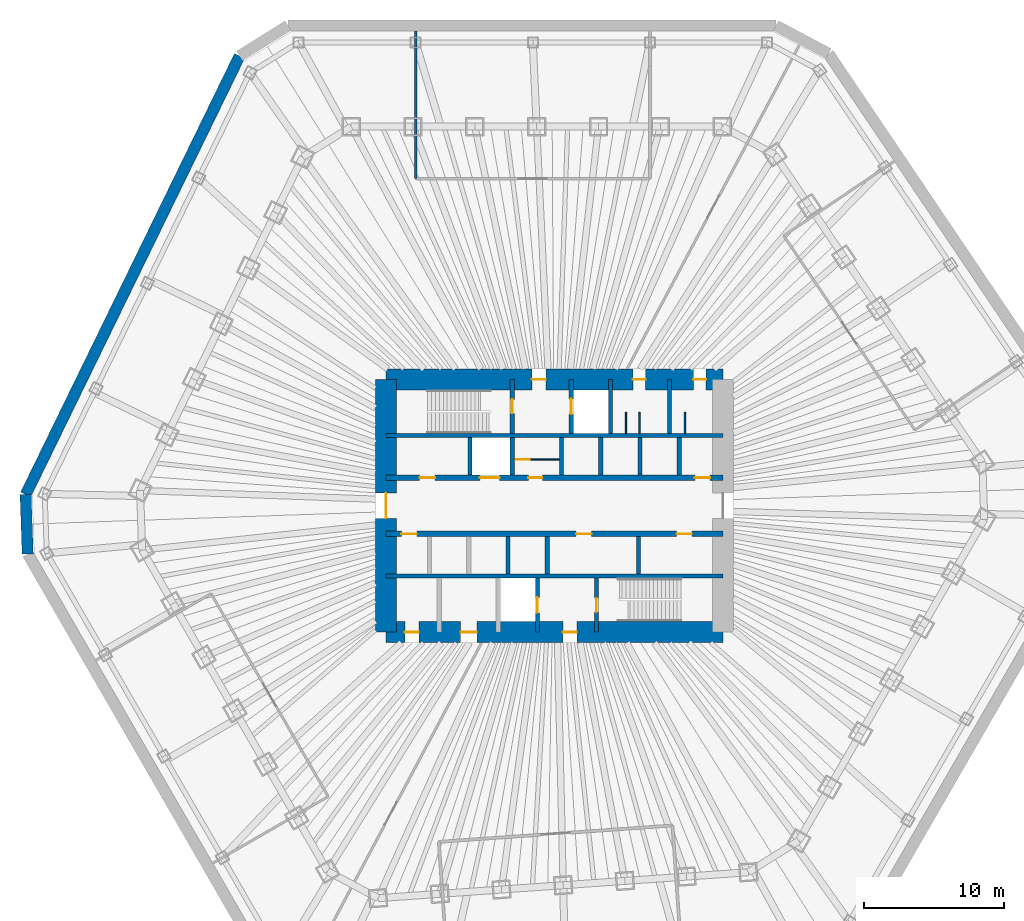
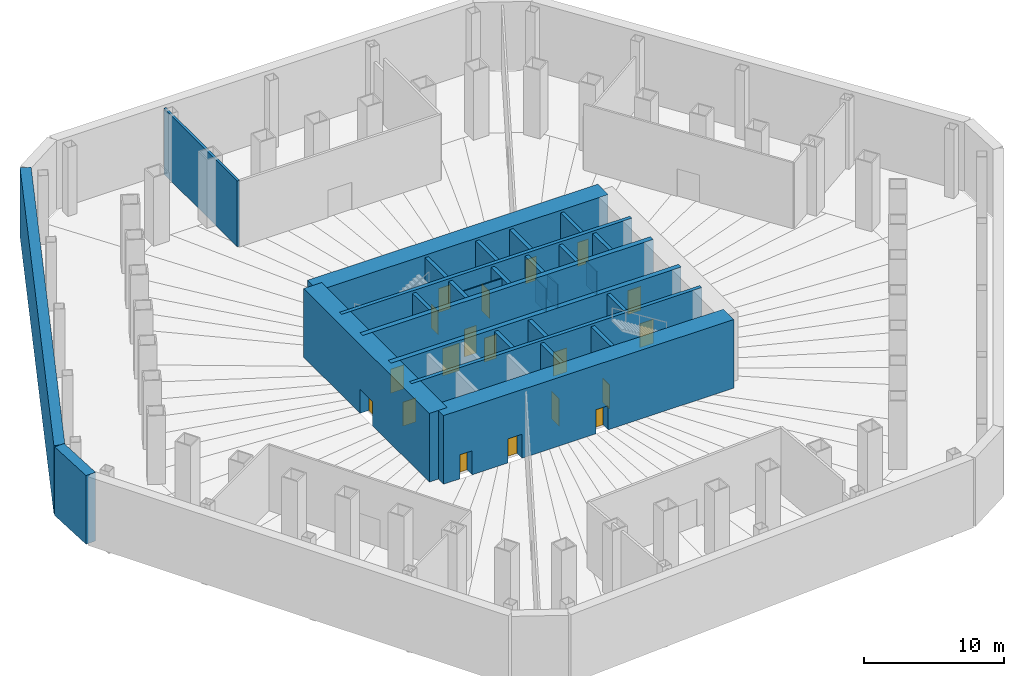
# One storey, part 6 of 8: 29 walls, 19 doors, 19 openings.
"""IFC4 building model written with IfcOpenShell, lengths in metres."""

from ifc_helpers import new_model, si_unit, direction, frame, frame_2d, origin, place, context, subcontext, project, spatial, rectangle, extrude, material, layer, layer_set, type_object, element, fill, save


model = new_model("IFC4")

# Units and contexts
model_context = context("Model", 3, precision=1e-05, world=origin(), true_north=direction((0.0, 1.0)))
body_context = subcontext(model_context, "Body", "Model", "MODEL_VIEW")
ifc_project = project(units=[si_unit("LENGTHUNIT", "METRE"), si_unit("AREAUNIT", "SQUARE_METRE"), si_unit("VOLUMEUNIT", "CUBIC_METRE"), si_unit("PLANEANGLEUNIT", "RADIAN"), si_unit("MASSUNIT", "GRAM", prefix="KILO")], contexts=[model_context])

# Site, building, storey
site_placement = place(None, origin())
site = spatial("IfcSite", under=ifc_project, at=site_placement, CompositionType="ELEMENT")
building_placement = place(site_placement, origin())
building = spatial("IfcBuilding", under=site, at=building_placement, Name="Qingtian Harvest Tower", CompositionType="ELEMENT")
storey_placement = place(building_placement, frame((0.0, 0.0, -6.0)))
storey = spatial("IfcBuildingStorey", under=building, at=storey_placement, Name="B1", CompositionType="ELEMENT", Elevation=-6.0)

# Walls
ifc_material_1 = material(Name="Concrete fc' 42 MPa", Category="concrete")
ifc_layer_1 = layer(ifc_material_1, 0.800048828125)
ifc_layer_set_1 = layer_set([ifc_layer_1], Name="Basement retaining wall RW1 800")
wall_type_1 = type_object("IfcWallType", Name="Basement retaining wall RW1 800", PredefinedType="SHEAR", material=ifc_layer_set_1)
wall_1_placement = place(storey_placement, frame((-37.51025390625, -3.43017578125, 0.0), z_axis=(0.0, 0.0, 1.0), x_axis=(-0.034908677553, 0.999390506375, 0.0)))
element("IfcWall", 1, at=wall_1_placement, inside=storey, type_object=wall_type_1, Name="Retaining wall RW1 B1 10", PredefinedType="SHEAR", context=body_context, shape_type="SweptSolid", body=[
    extrude(rectangle(XDim=4.23828125, YDim=0.800048828125, at=frame_2d((2.119140625, 0.0))), origin(), (0.0, 0.0, 1.0), 6.0),
])
wall_2_placement = place(storey_placement, frame((-37.658203125, 0.805419921875, 0.0), z_axis=(0.0, 0.0, 1.0), x_axis=(0.438371731429, 0.898793761151, 0.0)))
element("IfcWall", 2, at=wall_2_placement, inside=storey, type_object=wall_type_1, Name="Retaining wall RW1 B1 11", PredefinedType="SHEAR", context=body_context, shape_type="SweptSolid", body=[
    extrude(rectangle(XDim=34.7548828125, YDim=0.800048828125, at=frame_2d((17.37744140625, 0.0))), origin(), (0.0, 0.0, 1.0), 6.0),
])
ifc_material_2 = material(Name="Concrete fc' 70 MPa", Category="concrete")
ifc_layer_2 = layer(ifc_material_2, 0.300048828125)
ifc_layer_set_2 = layer_set([ifc_layer_2], Name="Core inner wall RC5 300")
wall_type_2 = type_object("IfcWallType", Name="Core inner wall RC5 300", PredefinedType="SHEAR", material=ifc_layer_set_2)
for number, where, z_axis, x_axis, name in (
    (3, (-12.0, 5.0, 0.0), (0.0, 0.0, 1.0), (1.0, 0.0, 0.0), "Core wall IN5 B1"),
    (4, (-12.0, -5.0, 0.0), (0.0, 0.0, 1.0), (1.0, 0.0, 0.0), "Core wall IS5 B1"),
):
    element("IfcWall", number, at=place(storey_placement, frame(where, z_axis=z_axis, x_axis=x_axis)), inside=storey, type_object=wall_type_2, Name=name, PredefinedType="SHEAR", context=body_context, shape_type="SweptSolid", body=[
        extrude(rectangle(XDim=24.0, YDim=0.300048828125, at=frame_2d((12.0, 0.0))), origin(), (0.0, 0.0, 1.0), 6.0),
    ])

# Wall, openings, doors
ifc_material_3 = material(Name="Concrete fc' 70 MPa", Category="concrete")
ifc_layer_3 = layer(ifc_material_3, 0.39990234375)
ifc_layer_set_3 = layer_set([ifc_layer_3], Name="Core inner web RC6 400")
wall_type_3 = type_object("IfcWallType", Name="Core inner web RC6 400", PredefinedType="SHEAR", material=ifc_layer_set_3)
wall_3_placement = place(storey_placement, frame((-12.0, 2.0, 0.0), z_axis=(0.0, 0.0, 1.0), x_axis=(1.0, 0.0, 0.0)))
wall_3 = element("IfcWall", 5, at=wall_3_placement, inside=storey, type_object=wall_type_3, Name="Core wall IN2 B1", PredefinedType="SHEAR", context=body_context, shape_type="SweptSolid", body=[
    extrude(rectangle(XDim=24.0, YDim=0.39990234375, at=frame_2d((12.0, 0.0))), origin(), (0.0, 0.0, 1.0), 6.0),
])
opening_1_placement = place(wall_3_placement, frame((2.39990234375, 0.0, 0.0)))
opening_1 = element("IfcOpeningElement", 6, at=opening_1_placement, cuts=wall_3, Name="Opening FD4", PredefinedType="OPENING", context=body_context, shape_type="SweptSolid", body=[
    extrude(rectangle(XDim=1.10009765625, YDim=2.10009765625, at=frame_2d((0.550048828125, 1.050048828125))), frame((0.0, 0.2099609375, 0.0), z_axis=(0.0, -1.0, 0.0), x_axis=(1.0, 0.0, 0.0)), (0.0, 0.0, 1.0), 0.419921875),
])
opening_2_placement = place(wall_3_placement, frame((22.0, 0.0, 0.0)))
opening_2 = element("IfcOpeningElement", 7, at=opening_2_placement, cuts=wall_3, Name="Opening FD4", PredefinedType="OPENING", context=body_context, shape_type="SweptSolid", body=[
    extrude(rectangle(XDim=1.10009765625, YDim=2.10009765625, at=frame_2d((0.550048828125, 1.050048828125))), frame((0.0, 0.2099609375, 0.0), z_axis=(0.0, -1.0, 0.0), x_axis=(1.0, 0.0, 0.0)), (0.0, 0.0, 1.0), 0.419921875),
])
opening_3_placement = place(wall_3_placement, frame((10.14990234375, 0.0, 0.0)))
opening_3 = element("IfcOpeningElement", 8, at=opening_3_placement, cuts=wall_3, Name="Opening FD1", PredefinedType="OPENING", context=body_context, shape_type="SweptSolid", body=[
    extrude(rectangle(XDim=1.0, YDim=2.10009765625, at=frame_2d((0.5, 1.050048828125))), frame((0.0, 0.2099609375, 0.0), z_axis=(0.0, -1.0, 0.0), x_axis=(1.0, 0.0, 0.0)), (0.0, 0.0, 1.0), 0.419921875),
])
opening_4_placement = place(wall_3_placement, frame((6.699951171875, 0.0, 0.0)))
opening_4 = element("IfcOpeningElement", 9, at=opening_4_placement, cuts=wall_3, Name="Opening LD2", PredefinedType="OPENING", context=body_context, shape_type="SweptSolid", body=[
    extrude(rectangle(XDim=1.39990234375, YDim=2.39990234375, at=frame_2d((0.699951171875, 1.199951171875))), frame((0.0, 0.2099609375, 0.0), z_axis=(0.0, -1.0, 0.0), x_axis=(1.0, 0.0, 0.0)), (0.0, 0.0, 1.0), 0.419921875),
])
ifc_material_4 = material(Name="Steel-faced door leaf", Category="steel")
door_type_1 = type_object("IfcDoorType", Name="Fire door FD1 single 1 HR", OperationType="SINGLE_SWING_LEFT", PredefinedType="DOOR", material=ifc_material_4)
door_1_placement = place(opening_3_placement, origin())
door_1 = element("IfcDoor", 10, at=door_1_placement, inside=storey, type_object=door_type_1, Name="STA door B1", OperationType="SINGLE_SWING_LEFT", OverallHeight=2.10009765625, OverallWidth=1.0, PredefinedType="DOOR", context=body_context, shape_type="SweptSolid", body=[
    extrude(rectangle(XDim=1.0, YDim=2.10009765625, at=frame_2d((0.5, 1.050048828125))), frame((0.0, 0.02490234375, 0.0), z_axis=(0.0, -1.0, 0.0), x_axis=(1.0, 0.0, 0.0)), (0.0, 0.0, 1.0), 0.050048828125),
])
fill(opening_3, door_1)
ifc_material_5 = material(Name="Steel-faced door leaf", Category="steel")
door_type_2 = type_object("IfcDoorType", Name="Fire door FD4 single 2 HR", OperationType="SINGLE_SWING_LEFT", PredefinedType="DOOR", material=ifc_material_5)
door_2_placement = place(opening_1_placement, origin())
door_2 = element("IfcDoor", 11, at=door_2_placement, inside=storey, type_object=door_type_2, Name="RA door B1", OperationType="SINGLE_SWING_LEFT", OverallHeight=2.10009765625, OverallWidth=1.10009765625, PredefinedType="DOOR", context=body_context, shape_type="SweptSolid", body=[
    extrude(rectangle(XDim=1.10009765625, YDim=2.10009765625, at=frame_2d((0.550048828125, 1.050048828125))), frame((0.0, 0.02490234375, 0.0), z_axis=(0.0, -1.0, 0.0), x_axis=(1.0, 0.0, 0.0)), (0.0, 0.0, 1.0), 0.050048828125),
])
fill(opening_1, door_2)
door_3_placement = place(opening_2_placement, origin())
door_3 = element("IfcDoor", 12, at=door_3_placement, inside=storey, type_object=door_type_2, Name="AHU door B1", OperationType="SINGLE_SWING_RIGHT", OverallHeight=2.10009765625, OverallWidth=1.10009765625, PredefinedType="DOOR", context=body_context, shape_type="SweptSolid", body=[
    extrude(rectangle(XDim=1.10009765625, YDim=2.10009765625, at=frame_2d((0.550048828125, 1.050048828125))), frame((0.0, 0.02490234375, 0.0), z_axis=(0.0, -1.0, 0.0), x_axis=(1.0, 0.0, 0.0)), (0.0, 0.0, 1.0), 0.050048828125),
])
fill(opening_2, door_3)
ifc_material_6 = material(Name="Stainless steel lift landing door", Category="steel")
door_type_3 = type_object("IfcDoorType", Name="Goods lift landing door LD2 1 HR", OperationType="DOUBLE_DOOR_SLIDING", PredefinedType="DOOR", material=ifc_material_6)
door_4_placement = place(opening_4_placement, origin())
door_4 = element("IfcDoor", 13, at=door_4_placement, inside=storey, type_object=door_type_3, Name="GL1 landing door B1", OperationType="DOUBLE_DOOR_SLIDING", OverallHeight=2.39990234375, OverallWidth=1.39990234375, PredefinedType="DOOR", context=body_context, shape_type="SweptSolid", body=[
    extrude(rectangle(XDim=1.39990234375, YDim=2.39990234375, at=frame_2d((0.699951171875, 1.199951171875))), frame((0.0, 0.02490234375, 0.0), z_axis=(0.0, -1.0, 0.0), x_axis=(1.0, 0.0, 0.0)), (0.0, 0.0, 1.0), 0.050048828125),
])
fill(opening_4, door_4)

wall_4_placement = place(storey_placement, frame((-12.0, -2.0, 0.0), z_axis=(0.0, 0.0, 1.0), x_axis=(1.0, 0.0, 0.0)))
wall_4 = element("IfcWall", 14, at=wall_4_placement, inside=storey, type_object=wall_type_3, Name="Core wall IS2 B1", PredefinedType="SHEAR", context=body_context, shape_type="SweptSolid", body=[
    extrude(rectangle(XDim=24.0, YDim=0.39990234375, at=frame_2d((12.0, 0.0))), origin(), (0.0, 0.0, 1.0), 6.0),
])
opening_5_placement = place(wall_4_placement, frame((1.10009765625, 0.0, 0.0)))
opening_5 = element("IfcOpeningElement", 15, at=opening_5_placement, cuts=wall_4, Name="Opening FD4", PredefinedType="OPENING", context=body_context, shape_type="SweptSolid", body=[
    extrude(rectangle(XDim=1.10009765625, YDim=2.10009765625, at=frame_2d((0.550048828125, 1.050048828125))), frame((0.0, 0.2099609375, 0.0), z_axis=(0.0, -1.0, 0.0), x_axis=(1.0, 0.0, 0.0)), (0.0, 0.0, 1.0), 0.419921875),
])
opening_6_placement = place(wall_4_placement, frame((13.550048828125, 0.0, 0.0)))
opening_6 = element("IfcOpeningElement", 16, at=opening_6_placement, cuts=wall_4, Name="Opening FD4", PredefinedType="OPENING", context=body_context, shape_type="SweptSolid", body=[
    extrude(rectangle(XDim=1.10009765625, YDim=2.10009765625, at=frame_2d((0.550048828125, 1.050048828125))), frame((0.0, 0.2099609375, 0.0), z_axis=(0.0, -1.0, 0.0), x_axis=(1.0, 0.0, 0.0)), (0.0, 0.0, 1.0), 0.419921875),
])
opening_7_placement = place(wall_4_placement, frame((20.699951171875, 0.0, 0.0)))
opening_7 = element("IfcOpeningElement", 17, at=opening_7_placement, cuts=wall_4, Name="Opening FD4", PredefinedType="OPENING", context=body_context, shape_type="SweptSolid", body=[
    extrude(rectangle(XDim=1.10009765625, YDim=2.10009765625, at=frame_2d((0.550048828125, 1.050048828125))), frame((0.0, 0.2099609375, 0.0), z_axis=(0.0, -1.0, 0.0), x_axis=(1.0, 0.0, 0.0)), (0.0, 0.0, 1.0), 0.419921875),
])
door_5_placement = place(opening_5_placement, origin())
door_5 = element("IfcDoor", 18, at=door_5_placement, inside=storey, type_object=door_type_2, Name="RB door B1", OperationType="SINGLE_SWING_RIGHT", OverallHeight=2.10009765625, OverallWidth=1.10009765625, PredefinedType="DOOR", context=body_context, shape_type="SweptSolid", body=[
    extrude(rectangle(XDim=1.10009765625, YDim=2.10009765625, at=frame_2d((0.550048828125, 1.050048828125))), frame((0.0, 0.02490234375, 0.0), z_axis=(0.0, -1.0, 0.0), x_axis=(1.0, 0.0, 0.0)), (0.0, 0.0, 1.0), 0.050048828125),
])
fill(opening_5, door_5)
door_6_placement = place(opening_6_placement, origin())
door_6 = element("IfcDoor", 19, at=door_6_placement, inside=storey, type_object=door_type_2, Name="ELEC door B1", OperationType="SINGLE_SWING_LEFT", OverallHeight=2.10009765625, OverallWidth=1.10009765625, PredefinedType="DOOR", context=body_context, shape_type="SweptSolid", body=[
    extrude(rectangle(XDim=1.10009765625, YDim=2.10009765625, at=frame_2d((0.550048828125, 1.050048828125))), frame((0.0, 0.02490234375, 0.0), z_axis=(0.0, -1.0, 0.0), x_axis=(1.0, 0.0, 0.0)), (0.0, 0.0, 1.0), 0.050048828125),
])
fill(opening_6, door_6)
door_7_placement = place(opening_7_placement, origin())
door_7 = element("IfcDoor", 20, at=door_7_placement, inside=storey, type_object=door_type_2, Name="DUCT door B1", OperationType="SINGLE_SWING_LEFT", OverallHeight=2.10009765625, OverallWidth=1.10009765625, PredefinedType="DOOR", context=body_context, shape_type="SweptSolid", body=[
    extrude(rectangle(XDim=1.10009765625, YDim=2.10009765625, at=frame_2d((0.550048828125, 1.050048828125))), frame((0.0, 0.02490234375, 0.0), z_axis=(0.0, -1.0, 0.0), x_axis=(1.0, 0.0, 0.0)), (0.0, 0.0, 1.0), 0.050048828125),
])
fill(opening_7, door_7)

# Wall, opening, door
ifc_material_7 = material(Name="Precast concrete shaft panel", Category="concrete")
ifc_layer_4 = layer(ifc_material_7, 0.300048828125)
ifc_layer_set_4 = layer_set([ifc_layer_4], Name="Core shaft partition SW1 300")
wall_type_4 = type_object("IfcWallType", Name="Core shaft partition SW1 300", PredefinedType="PARTITIONING", material=ifc_layer_set_4)
wall_5_placement = place(storey_placement, frame((-3.0, 5.14990234375, 0.0), z_axis=(0.0, 0.0, 1.0), x_axis=(0.0, 1.0, 0.0)))
wall_5 = element("IfcWall", 21, at=wall_5_placement, inside=storey, type_object=wall_type_4, Name="Core shaft partition XN1 B1", PredefinedType="PARTITIONING", context=body_context, shape_type="SweptSolid", body=[
    extrude(rectangle(XDim=3.85009765625, YDim=0.300048828125, at=frame_2d((1.925048828125, 0.0))), origin(), (0.0, 0.0, 1.0), 5.780029296875),
])
opening_8_placement = place(wall_5_placement, frame((1.425048828125, 0.0, 0.0)))
opening_8 = element("IfcOpeningElement", 22, at=opening_8_placement, cuts=wall_5, Name="Opening FD1", PredefinedType="OPENING", context=body_context, shape_type="SweptSolid", body=[
    extrude(rectangle(XDim=1.0, YDim=2.10009765625, at=frame_2d((0.5, 1.050048828125))), frame((0.0, 0.159912109375, 0.0), z_axis=(0.0, -1.0, 0.0), x_axis=(1.0, 0.0, 0.0)), (0.0, 0.0, 1.0), 0.320068359375),
])
door_8_placement = place(opening_8_placement, origin())
door_8 = element("IfcDoor", 23, at=door_8_placement, inside=storey, type_object=door_type_1, Name="S1 door B1", OperationType="SINGLE_SWING_RIGHT", OverallHeight=2.10009765625, OverallWidth=1.0, PredefinedType="DOOR", context=body_context, shape_type="SweptSolid", body=[
    extrude(rectangle(XDim=1.0, YDim=2.10009765625, at=frame_2d((0.5, 1.050048828125))), frame((0.0, 0.02490234375, 0.0), z_axis=(0.0, -1.0, 0.0), x_axis=(1.0, 0.0, 0.0)), (0.0, 0.0, 1.0), 0.050048828125),
])
fill(opening_8, door_8)

wall_6_placement = place(storey_placement, frame((1.199951171875, 5.14990234375, 0.0), z_axis=(0.0, 0.0, 1.0), x_axis=(0.0, 1.0, 0.0)))
wall_6 = element("IfcWall", 24, at=wall_6_placement, inside=storey, type_object=wall_type_4, Name="Core shaft partition XN2 B1", PredefinedType="PARTITIONING", context=body_context, shape_type="SweptSolid", body=[
    extrude(rectangle(XDim=3.85009765625, YDim=0.300048828125, at=frame_2d((1.925048828125, 0.0))), origin(), (0.0, 0.0, 1.0), 5.780029296875),
])
opening_9_placement = place(wall_6_placement, frame((1.375, 0.0, 0.0)))
opening_9 = element("IfcOpeningElement", 25, at=opening_9_placement, cuts=wall_6, Name="Opening LD1", PredefinedType="OPENING", context=body_context, shape_type="SweptSolid", body=[
    extrude(rectangle(XDim=1.10009765625, YDim=2.39990234375, at=frame_2d((0.550048828125, 1.199951171875))), frame((0.0, 0.159912109375, 0.0), z_axis=(0.0, -1.0, 0.0), x_axis=(1.0, 0.0, 0.0)), (0.0, 0.0, 1.0), 0.320068359375),
])
ifc_material_8 = material(Name="Stainless steel lift landing door", Category="steel")
door_type_4 = type_object("IfcDoorType", Name="Lift landing door LD1 1 HR", OperationType="DOUBLE_DOOR_SLIDING", PredefinedType="DOOR", material=ifc_material_8)
door_9_placement = place(opening_9_placement, origin())
door_9 = element("IfcDoor", 26, at=door_9_placement, inside=storey, type_object=door_type_4, Name="FL1 landing door B1", OperationType="DOUBLE_DOOR_SLIDING", OverallHeight=2.39990234375, OverallWidth=1.10009765625, PredefinedType="DOOR", context=body_context, shape_type="SweptSolid", body=[
    extrude(rectangle(XDim=1.10009765625, YDim=2.39990234375, at=frame_2d((0.550048828125, 1.199951171875))), frame((0.0, 0.02490234375, 0.0), z_axis=(0.0, -1.0, 0.0), x_axis=(1.0, 0.0, 0.0)), (0.0, 0.0, 1.0), 0.050048828125),
])
fill(opening_9, door_9)

# Walls
for number, where, z_axis, x_axis, name in (
    (27, (4.0, 5.14990234375, 0.0), (0.0, 0.0, 1.0), (0.0, 1.0, 0.0), "Core shaft partition XN3 B1"),
    (28, (8.199951171875, 5.14990234375, 0.0), (0.0, 0.0, 1.0), (0.0, 1.0, 0.0), "Core shaft partition XN4 B1"),
):
    element("IfcWall", number, at=place(storey_placement, frame(where, z_axis=z_axis, x_axis=x_axis)), inside=storey, type_object=wall_type_4, Name=name, PredefinedType="PARTITIONING", context=body_context, shape_type="SweptSolid", body=[
        extrude(rectangle(XDim=3.85009765625, YDim=0.300048828125, at=frame_2d((1.925048828125, 0.0))), origin(), (0.0, 0.0, 1.0), 5.780029296875),
    ])
for number, where, z_axis, x_axis, name in (
    (29, (-6.0, 2.199951171875, 0.0), (0.0, 0.0, 1.0), (0.0, 1.0, 0.0), "Core shaft partition XA1 B1"),
    (30, (-3.0, 2.199951171875, 0.0), (0.0, 0.0, 1.0), (0.0, 1.0, 0.0), "Core shaft partition XA2 B1"),
    (31, (0.5, 2.199951171875, 0.0), (0.0, 0.0, 1.0), (0.0, 1.0, 0.0), "Core shaft partition XA3 B1"),
    (32, (3.300048828125, 2.199951171875, 0.0), (0.0, 0.0, 1.0), (0.0, 1.0, 0.0), "Core shaft partition XA4 B1"),
    (33, (6.10009765625, 2.199951171875, 0.0), (0.0, 0.0, 1.0), (0.0, 1.0, 0.0), "Core shaft partition XA5 B1"),
    (34, (8.89990234375, 2.199951171875, 0.0), (0.0, 0.0, 1.0), (0.0, 1.0, 0.0), "Core shaft partition XA6 B1"),
    (35, (-3.300048828125, -4.85009765625, 0.0), (0.0, 0.0, 1.0), (0.0, 1.0, 0.0), "Core shaft partition XB3 B1"),
    (36, (-0.5, -4.85009765625, 0.0), (0.0, 0.0, 1.0), (0.0, 1.0, 0.0), "Core shaft partition XB4 B1"),
    (37, (6.0, -4.85009765625, 0.0), (0.0, 0.0, 1.0), (0.0, 1.0, 0.0), "Core shaft partition XB5 B1"),
):
    element("IfcWall", number, at=place(storey_placement, frame(where, z_axis=z_axis, x_axis=x_axis)), inside=storey, type_object=wall_type_4, Name=name, PredefinedType="PARTITIONING", context=body_context, shape_type="SweptSolid", body=[
        extrude(rectangle(XDim=2.650146484375, YDim=0.300048828125, at=frame_2d((1.3251953125, 0.0))), origin(), (0.0, 0.0, 1.0), 5.780029296875),
    ])

# Wall, opening, door
wall_7_placement = place(storey_placement, frame((-1.199951171875, -9.0, 0.0), z_axis=(0.0, 0.0, 1.0), x_axis=(0.0, 1.0, 0.0)))
wall_7 = element("IfcWall", 38, at=wall_7_placement, inside=storey, type_object=wall_type_4, Name="Core shaft partition XS3 B1", PredefinedType="PARTITIONING", context=body_context, shape_type="SweptSolid", body=[
    extrude(rectangle(XDim=3.85009765625, YDim=0.300048828125, at=frame_2d((1.925048828125, 0.0))), origin(), (0.0, 0.0, 1.0), 5.780029296875),
])
opening_10_placement = place(wall_7_placement, frame((1.375, 0.0, 0.0)))
opening_10 = element("IfcOpeningElement", 39, at=opening_10_placement, cuts=wall_7, Name="Opening LD1", PredefinedType="OPENING", context=body_context, shape_type="SweptSolid", body=[
    extrude(rectangle(XDim=1.10009765625, YDim=2.39990234375, at=frame_2d((0.550048828125, 1.199951171875))), frame((0.0, 0.159912109375, 0.0), z_axis=(0.0, -1.0, 0.0), x_axis=(1.0, 0.0, 0.0)), (0.0, 0.0, 1.0), 0.320068359375),
])
door_10_placement = place(opening_10_placement, origin())
door_10 = element("IfcDoor", 40, at=door_10_placement, inside=storey, type_object=door_type_4, Name="FL2 landing door B1", OperationType="DOUBLE_DOOR_SLIDING", OverallHeight=2.39990234375, OverallWidth=1.10009765625, PredefinedType="DOOR", context=body_context, shape_type="SweptSolid", body=[
    extrude(rectangle(XDim=1.10009765625, YDim=2.39990234375, at=frame_2d((0.550048828125, 1.199951171875))), frame((0.0, 0.02490234375, 0.0), z_axis=(0.0, -1.0, 0.0), x_axis=(1.0, 0.0, 0.0)), (0.0, 0.0, 1.0), 0.050048828125),
])
fill(opening_10, door_10)

wall_8_placement = place(storey_placement, frame((3.0, -9.0, 0.0), z_axis=(0.0, 0.0, 1.0), x_axis=(0.0, 1.0, 0.0)))
wall_8 = element("IfcWall", 41, at=wall_8_placement, inside=storey, type_object=wall_type_4, Name="Core shaft partition XS4 B1", PredefinedType="PARTITIONING", context=body_context, shape_type="SweptSolid", body=[
    extrude(rectangle(XDim=3.85009765625, YDim=0.300048828125, at=frame_2d((1.925048828125, 0.0))), origin(), (0.0, 0.0, 1.0), 5.780029296875),
])
opening_11_placement = place(wall_8_placement, frame((1.425048828125, 0.0, 0.0)))
opening_11 = element("IfcOpeningElement", 42, at=opening_11_placement, cuts=wall_8, Name="Opening FD1", PredefinedType="OPENING", context=body_context, shape_type="SweptSolid", body=[
    extrude(rectangle(XDim=1.0, YDim=2.10009765625, at=frame_2d((0.5, 1.050048828125))), frame((0.0, 0.159912109375, 0.0), z_axis=(0.0, -1.0, 0.0), x_axis=(1.0, 0.0, 0.0)), (0.0, 0.0, 1.0), 0.320068359375),
])
door_11_placement = place(opening_11_placement, origin())
door_11 = element("IfcDoor", 43, at=door_11_placement, inside=storey, type_object=door_type_1, Name="S2 door B1", OperationType="SINGLE_SWING_RIGHT", OverallHeight=2.10009765625, OverallWidth=1.0, PredefinedType="DOOR", context=body_context, shape_type="SweptSolid", body=[
    extrude(rectangle(XDim=1.0, YDim=2.10009765625, at=frame_2d((0.5, 1.050048828125))), frame((0.0, 0.02490234375, 0.0), z_axis=(0.0, -1.0, 0.0), x_axis=(1.0, 0.0, 0.0)), (0.0, 0.0, 1.0), 0.050048828125),
])
fill(opening_11, door_11)

# Wall, openings, doors
ifc_material_9 = material(Name="Concrete fc' 70 MPa", Category="concrete")
ifc_layer_5 = layer(ifc_material_9, 1.5)
ifc_layer_set_5 = layer_set([ifc_layer_5], Name="Core wall RC1 1500")
wall_type_5 = type_object("IfcWallType", Name="Core wall RC1 1500", PredefinedType="SHEAR", material=ifc_layer_set_5)
wall_9_placement = place(storey_placement, frame((-12.0, 9.0, 0.0), z_axis=(0.0, 0.0, 1.0), x_axis=(1.0, 0.0, 0.0)))
wall_9 = element("IfcWall", 44, at=wall_9_placement, inside=storey, type_object=wall_type_5, Name="Core wall CN B1", PredefinedType="SHEAR", context=body_context, shape_type="SweptSolid", body=[
    extrude(rectangle(XDim=24.0, YDim=1.5, at=frame_2d((12.0, 0.0))), origin(), (0.0, 0.0, 1.0), 6.0),
])
opening_12_placement = place(wall_9_placement, frame((10.39990234375, 0.0, 0.0)))
opening_12 = element("IfcOpeningElement", 45, at=opening_12_placement, cuts=wall_9, Name="Opening FD1", PredefinedType="OPENING", context=body_context, shape_type="SweptSolid", body=[
    extrude(rectangle(XDim=1.0, YDim=2.10009765625, at=frame_2d((0.5, 1.050048828125))), frame((0.0, 0.760009765625, 0.0), z_axis=(0.0, -1.0, 0.0), x_axis=(1.0, 0.0, 0.0)), (0.0, 0.0, 1.0), 1.52001953125),
])
opening_13_placement = place(wall_9_placement, frame((17.60009765625, 0.0, 0.0)))
opening_13 = element("IfcOpeningElement", 46, at=opening_13_placement, cuts=wall_9, Name="Opening D1", PredefinedType="OPENING", context=body_context, shape_type="SweptSolid", body=[
    extrude(rectangle(XDim=0.89990234375, YDim=2.10009765625, at=frame_2d((0.449951171875, 1.050048828125))), frame((0.0, 0.760009765625, 0.0), z_axis=(0.0, -1.0, 0.0), x_axis=(1.0, 0.0, 0.0)), (0.0, 0.0, 1.0), 1.52001953125),
])
opening_14_placement = place(wall_9_placement, frame((21.89990234375, 0.0, 0.0)))
opening_14 = element("IfcOpeningElement", 47, at=opening_14_placement, cuts=wall_9, Name="Opening D1", PredefinedType="OPENING", context=body_context, shape_type="SweptSolid", body=[
    extrude(rectangle(XDim=0.89990234375, YDim=2.10009765625, at=frame_2d((0.449951171875, 1.050048828125))), frame((0.0, 0.760009765625, 0.0), z_axis=(0.0, -1.0, 0.0), x_axis=(1.0, 0.0, 0.0)), (0.0, 0.0, 1.0), 1.52001953125),
])
door_12_placement = place(opening_12_placement, origin())
door_12 = element("IfcDoor", 48, at=door_12_placement, inside=storey, type_object=door_type_1, Name="V1 door B1", OperationType="SINGLE_SWING_LEFT", OverallHeight=2.10009765625, OverallWidth=1.0, PredefinedType="DOOR", context=body_context, shape_type="SweptSolid", body=[
    extrude(rectangle(XDim=1.0, YDim=2.10009765625, at=frame_2d((0.5, 1.050048828125))), frame((0.0, 0.02490234375, 0.0), z_axis=(0.0, -1.0, 0.0), x_axis=(1.0, 0.0, 0.0)), (0.0, 0.0, 1.0), 0.050048828125),
])
fill(opening_12, door_12)
ifc_material_10 = material(Name="Laminated timber door leaf", Category="wood")
door_type_5 = type_object("IfcDoorType", Name="Toilet door D1 single", OperationType="SINGLE_SWING_LEFT", PredefinedType="DOOR", material=ifc_material_10)
door_13_placement = place(opening_13_placement, origin())
door_13 = element("IfcDoor", 49, at=door_13_placement, inside=storey, type_object=door_type_5, Name="WCM door B1", OperationType="SINGLE_SWING_LEFT", OverallHeight=2.10009765625, OverallWidth=0.89990234375, PredefinedType="DOOR", context=body_context, shape_type="SweptSolid", body=[
    extrude(rectangle(XDim=0.89990234375, YDim=2.10009765625, at=frame_2d((0.449951171875, 1.050048828125))), frame((0.0, 0.02490234375, 0.0), z_axis=(0.0, -1.0, 0.0), x_axis=(1.0, 0.0, 0.0)), (0.0, 0.0, 1.0), 0.050048828125),
])
fill(opening_13, door_13)
door_14_placement = place(opening_14_placement, origin())
door_14 = element("IfcDoor", 50, at=door_14_placement, inside=storey, type_object=door_type_5, Name="WCF door B1", OperationType="SINGLE_SWING_LEFT", OverallHeight=2.10009765625, OverallWidth=0.89990234375, PredefinedType="DOOR", context=body_context, shape_type="SweptSolid", body=[
    extrude(rectangle(XDim=0.89990234375, YDim=2.10009765625, at=frame_2d((0.449951171875, 1.050048828125))), frame((0.0, 0.02490234375, 0.0), z_axis=(0.0, -1.0, 0.0), x_axis=(1.0, 0.0, 0.0)), (0.0, 0.0, 1.0), 0.050048828125),
])
fill(opening_14, door_14)

wall_10_placement = place(storey_placement, frame((-12.0, -9.0, 0.0), z_axis=(0.0, 0.0, 1.0), x_axis=(1.0, 0.0, 0.0)))
wall_10 = element("IfcWall", 51, at=wall_10_placement, inside=storey, type_object=wall_type_5, Name="Core wall CS B1", PredefinedType="SHEAR", context=body_context, shape_type="SweptSolid", body=[
    extrude(rectangle(XDim=24.0, YDim=1.5, at=frame_2d((12.0, 0.0))), origin(), (0.0, 0.0, 1.0), 6.0),
])
opening_15_placement = place(wall_10_placement, frame((1.35009765625, 0.0, 0.0)))
opening_15 = element("IfcOpeningElement", 52, at=opening_15_placement, cuts=wall_10, Name="Opening FD1", PredefinedType="OPENING", context=body_context, shape_type="SweptSolid", body=[
    extrude(rectangle(XDim=1.0, YDim=2.10009765625, at=frame_2d((0.5, 1.050048828125))), frame((0.0, 0.760009765625, 0.0), z_axis=(0.0, -1.0, 0.0), x_axis=(1.0, 0.0, 0.0)), (0.0, 0.0, 1.0), 1.52001953125),
])
opening_16_placement = place(wall_10_placement, frame((5.324951171875, 0.0, 0.0)))
opening_16 = element("IfcOpeningElement", 53, at=opening_16_placement, cuts=wall_10, Name="Opening AD1", PredefinedType="OPENING", context=body_context, shape_type="SweptSolid", body=[
    extrude(rectangle(XDim=1.14990234375, YDim=2.10009765625, at=frame_2d((0.574951171875, 1.050048828125))), frame((0.0, 0.760009765625, 0.0), z_axis=(0.0, -1.0, 0.0), x_axis=(1.0, 0.0, 0.0)), (0.0, 0.0, 1.0), 1.52001953125),
])
opening_17_placement = place(wall_10_placement, frame((12.60009765625, 0.0, 0.0)))
opening_17 = element("IfcOpeningElement", 54, at=opening_17_placement, cuts=wall_10, Name="Opening FD1", PredefinedType="OPENING", context=body_context, shape_type="SweptSolid", body=[
    extrude(rectangle(XDim=1.0, YDim=2.10009765625, at=frame_2d((0.5, 1.050048828125))), frame((0.0, 0.760009765625, 0.0), z_axis=(0.0, -1.0, 0.0), x_axis=(1.0, 0.0, 0.0)), (0.0, 0.0, 1.0), 1.52001953125),
])
ifc_material_11 = material(Name="Laminated timber door leaf", Category="wood")
door_type_6 = type_object("IfcDoorType", Name="Accessible WC door AD1 single", OperationType="SINGLE_SWING_LEFT", PredefinedType="DOOR", material=ifc_material_11)
door_15_placement = place(opening_16_placement, origin())
door_15 = element("IfcDoor", 55, at=door_15_placement, inside=storey, type_object=door_type_6, Name="AWC door B1", OperationType="SINGLE_SWING_LEFT", OverallHeight=2.10009765625, OverallWidth=1.14990234375, PredefinedType="DOOR", context=body_context, shape_type="SweptSolid", body=[
    extrude(rectangle(XDim=1.14990234375, YDim=2.10009765625, at=frame_2d((0.574951171875, 1.050048828125))), frame((0.0, 0.02490234375, 0.0), z_axis=(0.0, -1.0, 0.0), x_axis=(1.0, 0.0, 0.0)), (0.0, 0.0, 1.0), 0.050048828125),
])
fill(opening_16, door_15)
door_16_placement = place(opening_15_placement, origin())
door_16 = element("IfcDoor", 56, at=door_16_placement, inside=storey, type_object=door_type_1, Name="CLN door B1", OperationType="SINGLE_SWING_LEFT", OverallHeight=2.10009765625, OverallWidth=1.0, PredefinedType="DOOR", context=body_context, shape_type="SweptSolid", body=[
    extrude(rectangle(XDim=1.0, YDim=2.10009765625, at=frame_2d((0.5, 1.050048828125))), frame((0.0, 0.02490234375, 0.0), z_axis=(0.0, -1.0, 0.0), x_axis=(1.0, 0.0, 0.0)), (0.0, 0.0, 1.0), 0.050048828125),
])
fill(opening_15, door_16)
door_17_placement = place(opening_17_placement, origin())
door_17 = element("IfcDoor", 57, at=door_17_placement, inside=storey, type_object=door_type_1, Name="V2 door B1", OperationType="SINGLE_SWING_RIGHT", OverallHeight=2.10009765625, OverallWidth=1.0, PredefinedType="DOOR", context=body_context, shape_type="SweptSolid", body=[
    extrude(rectangle(XDim=1.0, YDim=2.10009765625, at=frame_2d((0.5, 1.050048828125))), frame((0.0, 0.02490234375, 0.0), z_axis=(0.0, -1.0, 0.0), x_axis=(1.0, 0.0, 0.0)), (0.0, 0.0, 1.0), 0.050048828125),
])
fill(opening_17, door_17)

# Wall, opening, door
wall_11_placement = place(storey_placement, frame((-12.0, -9.0, 0.0), z_axis=(0.0, 0.0, 1.0), x_axis=(0.0, 1.0, 0.0)))
wall_11 = element("IfcWall", 58, at=wall_11_placement, inside=storey, type_object=wall_type_5, Name="Core wall CW B1", PredefinedType="SHEAR", context=body_context, shape_type="SweptSolid", body=[
    extrude(rectangle(XDim=18.0, YDim=1.5, at=frame_2d((9.0, 0.0))), origin(), (0.0, 0.0, 1.0), 6.0),
])
opening_18_placement = place(wall_11_placement, frame((8.10009765625, 0.0, 0.0)))
opening_18 = element("IfcOpeningElement", 59, at=opening_18_placement, cuts=wall_11, Name="Opening FD2", PredefinedType="OPENING", context=body_context, shape_type="SweptSolid", body=[
    extrude(rectangle(XDim=1.800048828125, YDim=2.10009765625, at=frame_2d((0.89990234375, 1.050048828125))), frame((0.0, 0.760009765625, 0.0), z_axis=(0.0, -1.0, 0.0), x_axis=(1.0, 0.0, 0.0)), (0.0, 0.0, 1.0), 1.52001953125),
])
ifc_material_12 = material(Name="Steel-faced door leaf", Category="steel")
door_type_7 = type_object("IfcDoorType", Name="Fire door FD2 double 1 HR", OperationType="DOUBLE_DOOR_DOUBLE_SWING", PredefinedType="DOOR", material=ifc_material_12)
door_18_placement = place(opening_18_placement, origin())
door_18 = element("IfcDoor", 60, at=door_18_placement, inside=storey, type_object=door_type_7, Name="LOBBY-W door B1", OperationType="DOUBLE_DOOR_DOUBLE_SWING", OverallHeight=2.10009765625, OverallWidth=1.800048828125, PredefinedType="DOOR", context=body_context, shape_type="SweptSolid", body=[
    extrude(rectangle(XDim=1.800048828125, YDim=2.10009765625, at=frame_2d((0.89990234375, 1.050048828125))), frame((0.0, 0.02490234375, 0.0), z_axis=(0.0, -1.0, 0.0), x_axis=(1.0, 0.0, 0.0)), (0.0, 0.0, 1.0), 0.050048828125),
])
fill(opening_18, door_18)

# Wall
ifc_material_13 = material(Name="Blockwork fire wall", Category="masonry")
ifc_layer_6 = layer(ifc_material_13, 0.199951171875)
ifc_layer_set_6 = layer_set([ifc_layer_6], Name="Fire partition FW1 200")
wall_type_6 = type_object("IfcWallType", Name="Fire partition FW1 200", PredefinedType="PARTITIONING", material=ifc_layer_set_6)
wall_12_placement = place(storey_placement, frame((-9.87890625, 33.800048828125, 0.0), z_axis=(0.0, 0.0, 1.0), x_axis=(0.0, -1.0, 0.0)))
element("IfcWall", 61, at=wall_12_placement, inside=storey, type_object=wall_type_6, Name="Cold store wall B1", PredefinedType="PARTITIONING", context=body_context, shape_type="SweptSolid", body=[
    extrude(rectangle(XDim=10.5, YDim=0.199951171875, at=frame_2d((5.25, 0.0))), origin(), (0.0, 0.0, 1.0), 5.75),
])

# Wall, opening, door
ifc_material_14 = material(Name="Concrete block partition", Category="concrete")
ifc_layer_7 = layer(ifc_material_14, 0.10009765625)
ifc_layer_set_7 = layer_set([ifc_layer_7], Name="Store partition PT3 100")
wall_type_7 = type_object("IfcWallType", Name="Store partition PT3 100", PredefinedType="PARTITIONING", material=ifc_layer_set_7)
wall_13_placement = place(storey_placement, frame((-2.85009765625, 3.300048828125, 0.0), z_axis=(0.0, 0.0, 1.0), x_axis=(1.0, 0.0, 0.0)))
wall_13 = element("IfcWall", 62, at=wall_13_placement, inside=storey, type_object=wall_type_7, Name="Cleaning store wall B1", PredefinedType="PARTITIONING", context=body_context, shape_type="SweptSolid", body=[
    extrude(rectangle(XDim=3.2001953125, YDim=0.10009765625, at=frame_2d((1.60009765625, 0.0))), origin(), (0.0, 0.0, 1.0), 5.780029296875),
])
opening_19_placement = place(wall_13_placement, frame((0.10009765625, 0.0, 0.0)))
opening_19 = element("IfcOpeningElement", 63, at=opening_19_placement, cuts=wall_13, Name="Opening D2", PredefinedType="OPENING", context=body_context, shape_type="SweptSolid", body=[
    extrude(rectangle(XDim=1.0, YDim=2.39990234375, at=frame_2d((0.5, 1.199951171875))), frame((0.0, 0.06005859375, 0.0), z_axis=(0.0, -1.0, 0.0), x_axis=(1.0, 0.0, 0.0)), (0.0, 0.0, 1.0), 0.1201171875),
])
ifc_material_15 = material(Name="Laminated timber door leaf", Category="wood")
door_type_8 = type_object("IfcDoorType", Name="Room door D2 single", OperationType="SINGLE_SWING_LEFT", PredefinedType="DOOR", material=ifc_material_15)
door_19_placement = place(opening_19_placement, origin())
door_19 = element("IfcDoor", 64, at=door_19_placement, inside=storey, type_object=door_type_8, Name="Cleaning store door B1", OperationType="SINGLE_SWING_LEFT", OverallHeight=2.39990234375, OverallWidth=1.0, PredefinedType="DOOR", context=body_context, shape_type="SweptSolid", body=[
    extrude(rectangle(XDim=1.0, YDim=2.39990234375, at=frame_2d((0.5, 1.199951171875))), frame((0.0, 0.02490234375, 0.0), z_axis=(0.0, -1.0, 0.0), x_axis=(1.0, 0.0, 0.0)), (0.0, 0.0, 1.0), 0.050048828125),
])
fill(opening_19, door_19)

# Walls
ifc_material_16 = material(Name="Compact laminate cubicle partition", Category="plastic")
ifc_layer_8 = layer(ifc_material_16, 0.10009765625)
ifc_layer_set_8 = layer_set([ifc_layer_8], Name="WC cubicle partition WP1 100")
wall_type_8 = type_object("IfcWallType", Name="WC cubicle partition WP1 100", PredefinedType="PARTITIONING", material=ifc_layer_set_8)
for number, where, z_axis, x_axis, name in (
    (65, (5.10009765625, 5.14990234375, 0.0), (0.0, 0.0, 1.0), (0.0, 1.0, 0.0), "WC cubicle partition WCM B1"),
    (66, (6.050048828125, 5.14990234375, 0.0), (0.0, 0.0, 1.0), (0.0, 1.0, 0.0), "WC cubicle partition WCM B1"),
    (67, (9.300048828125, 5.14990234375, 0.0), (0.0, 0.0, 1.0), (0.0, 1.0, 0.0), "WC cubicle partition WCF B1"),
):
    element("IfcWall", number, at=place(storey_placement, frame(where, z_axis=z_axis, x_axis=x_axis)), inside=storey, type_object=wall_type_8, Name=name, PredefinedType="PARTITIONING", context=body_context, shape_type="SweptSolid", body=[
        extrude(rectangle(XDim=1.5, YDim=0.10009765625, at=frame_2d((0.75, 0.0))), origin(), (0.0, 0.0, 1.0), 2.10009765625),
    ])

save(model, "model.ifc")
